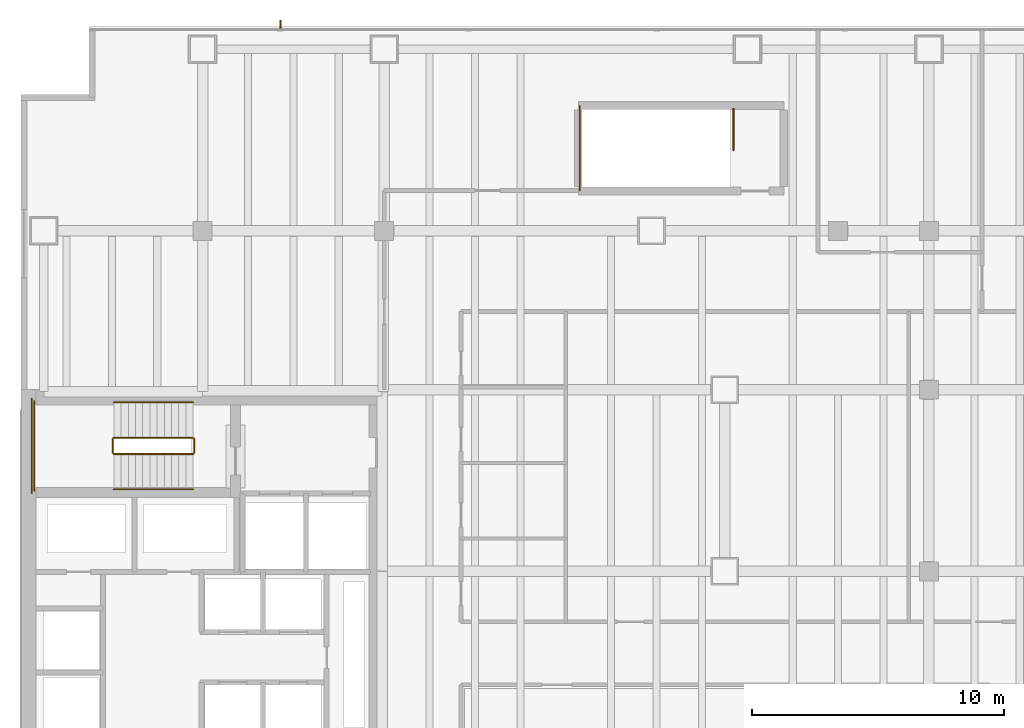
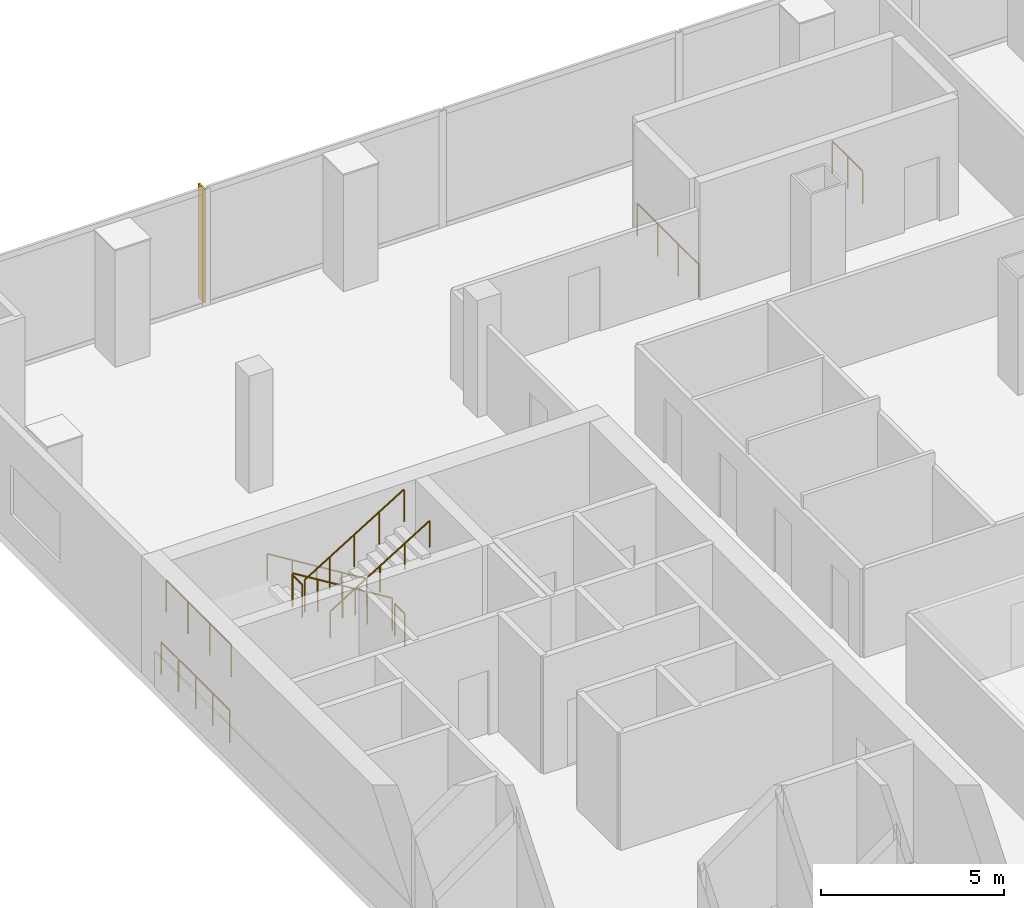
# One storey, part 30 of 32: 10 railings, 1 shading device.
"""IFC4 building model written with IfcOpenShell, lengths in metres."""

from ifc_helpers import new_model, si_unit, direction, frame, origin, origin_2d, place, context, subcontext, project, spatial, polyline, circle, outline, extrude, material, layer, layer_set, type_object, element, save


model = new_model("IFC4")

# Units and contexts
model_context = context("Model", 3, precision=1e-05, world=origin(), true_north=direction((0.0, 1.0)))
body_context = subcontext(model_context, "Body", "Model", "MODEL_VIEW")
ifc_project = project(units=[si_unit("LENGTHUNIT", "METRE"), si_unit("AREAUNIT", "SQUARE_METRE"), si_unit("VOLUMEUNIT", "CUBIC_METRE"), si_unit("PLANEANGLEUNIT", "RADIAN"), si_unit("MASSUNIT", "GRAM", prefix="KILO")], contexts=[model_context])

# Site, building, storey
site_placement = place(None, origin())
site = spatial("IfcSite", under=ifc_project, at=site_placement, CompositionType="ELEMENT")
building_placement = place(site_placement, origin())
building = spatial("IfcBuilding", under=site, at=building_placement, Name="Cobrela Telecom Tower", CompositionType="ELEMENT")
storey_placement = place(building_placement, frame((0.0, 0.0, 22.050048828125)))
storey = spatial("IfcBuildingStorey", under=building, at=storey_placement, Name="L05", CompositionType="ELEMENT", Elevation=22.050048828125)

# Railings
ifc_material_1 = material(Name="Steel ASTM A36", Category="steel")
railing_type_1 = type_object("IfcRailingType", Name="RAIL-GUARD-1100", PredefinedType="GUARDRAIL", material=ifc_material_1)
railing_1_placement = place(storey_placement, frame((6.820068359375, 34.10009765625, 0.175048828125)))
element("IfcRailing", 1, at=railing_1_placement, inside=storey, type_object=railing_type_1, Name="L05 ST1 stair guard 1", PredefinedType="GUARDRAIL", context=body_context, shape_type="SweptSolid", body=[
    extrude(circle(Radius=0.02392578125, at=origin_2d()), frame((0.0, 0.0, 1.076171875), z_axis=(-0.852195625947, 0.0, 0.523223293744), x_axis=(0.0, -1.0, 0.0)), (0.0, 0.0, 1.0), 3.6787109375),
    extrude(circle(Radius=0.02099609375, at=origin_2d()), origin(), (0.0, 0.0, 1.0), 1.052001953125),
    extrude(circle(Radius=0.02099609375, at=origin_2d()), frame((-0.78369140625, 0.0, 0.481201171875)), (0.0, 0.0, 1.0), 1.052001953125),
    extrude(circle(Radius=0.02099609375, at=origin_2d()), frame((-1.5673828125, 0.0, 0.96240234375)), (0.0, 0.0, 1.0), 1.052001953125),
    extrude(circle(Radius=0.02099609375, at=origin_2d()), frame((-2.351318359375, 0.0, 1.443603515625)), (0.0, 0.0, 1.0), 1.052001953125),
    extrude(circle(Radius=0.02099609375, at=origin_2d()), frame((-3.135009765625, 0.0, 1.9248046875)), (0.0, 0.0, 1.0), 1.052001953125),
])
railing_2_placement = place(storey_placement, frame((3.635009765625, 34.050048828125, 2.099853515625)))
element("IfcRailing", 2, at=railing_2_placement, inside=storey, type_object=railing_type_1, Name="L05 ST1 stair guard 2", PredefinedType="GUARDRAIL", context=body_context, shape_type="SweptSolid", body=[
    extrude(circle(Radius=0.02392578125, at=origin_2d()), frame((0.0, 0.0, 1.076171875), z_axis=(0.0, -1.0, 0.0), x_axis=(1.0, 0.0, 0.0)), (0.0, 0.0, 1.0), 0.550048828125),
    extrude(circle(Radius=0.02099609375, at=origin_2d()), origin(), (0.0, 0.0, 1.0), 1.052001953125),
    extrude(circle(Radius=0.02099609375, at=origin_2d()), frame((0.0, -0.550048828125, 0.0)), (0.0, 0.0, 1.0), 1.052001953125),
])
railing_3_placement = place(storey_placement, frame((0.530029296875, 35.550048828125, 2.099853515625)))
element("IfcRailing", 3, at=railing_3_placement, inside=storey, type_object=railing_type_1, Name="L05 ST1 stair guard 3", PredefinedType="GUARDRAIL", context=body_context, shape_type="SweptSolid", body=[
    extrude(circle(Radius=0.02392578125, at=origin_2d()), frame((0.0, 0.0, 1.076171875), z_axis=(0.0, -1.0, 0.0), x_axis=(1.0, 0.0, 0.0)), (0.0, 0.0, 1.0), 3.550048828125),
    extrude(circle(Radius=0.02099609375, at=origin_2d()), origin(), (0.0, 0.0, 1.0), 1.052001953125),
    extrude(circle(Radius=0.02099609375, at=origin_2d()), frame((0.0, -1.183349609375, 0.0)), (0.0, 0.0, 1.0), 1.052001953125),
    extrude(circle(Radius=0.02099609375, at=origin_2d()), frame((0.0, -2.36669921875, 0.0)), (0.0, 0.0, 1.0), 1.052001953125),
    extrude(circle(Radius=0.02099609375, at=origin_2d()), frame((0.0, -3.550048828125, 0.0)), (0.0, 0.0, 1.0), 1.052001953125),
])
railing_4_placement = place(storey_placement, frame((3.68505859375, 33.449951171875, 2.27490234375)))
element("IfcRailing", 4, at=railing_4_placement, inside=storey, type_object=railing_type_1, Name="L05 ST1 stair guard 4", PredefinedType="GUARDRAIL", context=body_context, shape_type="SweptSolid", body=[
    extrude(circle(Radius=0.02392578125, at=origin_2d()), frame((0.0, 0.0, 1.076171875), z_axis=(0.852166034122, 0.0, 0.523271488128), x_axis=(0.0, 1.0, 0.0)), (0.0, 0.0, 1.0), 3.678955078125),
    extrude(circle(Radius=0.02099609375, at=origin_2d()), origin(), (0.0, 0.0, 1.0), 1.052001953125),
    extrude(circle(Radius=0.02099609375, at=origin_2d()), frame((0.78369140625, 0.0, 0.481201171875)), (0.0, 0.0, 1.0), 1.052001953125),
    extrude(circle(Radius=0.02099609375, at=origin_2d()), frame((1.5673828125, 0.0, 0.96240234375)), (0.0, 0.0, 1.0), 1.052001953125),
    extrude(circle(Radius=0.02099609375, at=origin_2d()), frame((2.351318359375, 0.0, 1.44384765625)), (0.0, 0.0, 1.0), 1.052001953125),
    extrude(circle(Radius=0.02099609375, at=origin_2d()), frame((3.135009765625, 0.0, 1.925048828125)), (0.0, 0.0, 1.0), 1.052001953125),
])
railing_5_placement = place(storey_placement, frame((6.8701171875, 34.050048828125, 0.0)))
element("IfcRailing", 5, at=railing_5_placement, inside=storey, type_object=railing_type_1, Name="L05 ST1 stair guard 5", PredefinedType="GUARDRAIL", context=body_context, shape_type="SweptSolid", body=[
    extrude(circle(Radius=0.02392578125, at=origin_2d()), frame((0.0, 0.0, 1.076171875), z_axis=(0.0, -1.0, 0.0), x_axis=(1.0, 0.0, 0.0)), (0.0, 0.0, 1.0), 0.550048828125),
    extrude(circle(Radius=0.02099609375, at=origin_2d()), origin(), (0.0, 0.0, 1.0), 1.052001953125),
    extrude(circle(Radius=0.02099609375, at=origin_2d()), frame((0.0, -0.550048828125, 0.0)), (0.0, 0.0, 1.0), 1.052001953125),
])
railing_6_placement = place(storey_placement, frame((0.429931640625, 35.64990234375, 0.0)))
element("IfcRailing", 6, at=railing_6_placement, inside=storey, type_object=railing_type_1, Name="L05 ST1 stair guard 6", PredefinedType="GUARDRAIL", context=body_context, shape_type="SweptSolid", body=[
    extrude(circle(Radius=0.02392578125, at=origin_2d()), frame((0.0, 0.0, 1.076171875), z_axis=(0.0, -1.0, 0.0), x_axis=(1.0, 0.0, 0.0)), (0.0, 0.0, 1.0), 3.75),
    extrude(circle(Radius=0.02099609375, at=origin_2d()), origin(), (0.0, 0.0, 1.0), 1.052001953125),
    extrude(circle(Radius=0.02099609375, at=origin_2d()), frame((0.0, -0.9375, 0.0)), (0.0, 0.0, 1.0), 1.052001953125),
    extrude(circle(Radius=0.02099609375, at=origin_2d()), frame((0.0, -1.875, 0.0)), (0.0, 0.0, 1.0), 1.052001953125),
    extrude(circle(Radius=0.02099609375, at=origin_2d()), frame((0.0, -2.8125, 0.0)), (0.0, 0.0, 1.0), 1.052001953125),
    extrude(circle(Radius=0.02099609375, at=origin_2d()), frame((0.0, -3.75, 0.0)), (0.0, 0.0, 1.0), 1.052001953125),
])
railing_7_placement = place(storey_placement, frame((28.25, 47.14990234375, 0.0)))
element("IfcRailing", 7, at=railing_7_placement, inside=storey, type_object=railing_type_1, Name="L05 ST3 top well guard 1", PredefinedType="GUARDRAIL", context=body_context, shape_type="SweptSolid", body=[
    extrude(circle(Radius=0.02392578125, at=origin_2d()), frame((0.0, 0.0, 1.076171875), z_axis=(0.0, -1.0, 0.0), x_axis=(1.0, 0.0, 0.0)), (0.0, 0.0, 1.0), 1.64990234375),
    extrude(circle(Radius=0.02099609375, at=origin_2d()), origin(), (0.0, 0.0, 1.0), 1.052001953125),
    extrude(circle(Radius=0.02099609375, at=origin_2d()), frame((0.0, -0.824951171875, 0.0)), (0.0, 0.0, 1.0), 1.052001953125),
    extrude(circle(Radius=0.02099609375, at=origin_2d()), frame((0.0, -1.64990234375, 0.0)), (0.0, 0.0, 1.0), 1.052001953125),
])
railing_8_placement = place(storey_placement, frame((22.14990234375, 47.25, 0.0)))
element("IfcRailing", 8, at=railing_8_placement, inside=storey, type_object=railing_type_1, Name="L05 ST3 top well guard 2", PredefinedType="GUARDRAIL", context=body_context, shape_type="SweptSolid", body=[
    extrude(circle(Radius=0.02392578125, at=origin_2d()), frame((0.0, 0.0, 1.076171875), z_axis=(0.0, -1.0, 0.0), x_axis=(1.0, 0.0, 0.0)), (0.0, 0.0, 1.0), 3.35009765625),
    extrude(circle(Radius=0.02099609375, at=origin_2d()), origin(), (0.0, 0.0, 1.0), 1.052001953125),
    extrude(circle(Radius=0.02099609375, at=origin_2d()), frame((0.0, -1.11669921875, 0.0)), (0.0, 0.0, 1.0), 1.052001953125),
    extrude(circle(Radius=0.02099609375, at=origin_2d()), frame((0.0, -2.2333984375, 0.0)), (0.0, 0.0, 1.0), 1.052001953125),
    extrude(circle(Radius=0.02099609375, at=origin_2d()), frame((0.0, -3.35009765625, 0.0)), (0.0, 0.0, 1.0), 1.052001953125),
])
railing_type_2 = type_object("IfcRailingType", Name="RAIL-HAND-920", PredefinedType="HANDRAIL", material=ifc_material_1)
railing_9_placement = place(storey_placement, frame((6.820068359375, 35.5, 0.175048828125)))
element("IfcRailing", 9, at=railing_9_placement, inside=storey, type_object=railing_type_2, Name="L05 ST1 stair handrail 1", PredefinedType="HANDRAIL", context=body_context, shape_type="SweptSolid", body=[
    extrude(circle(Radius=0.02392578125, at=origin_2d()), frame((0.0, 0.0, 0.8759765625), z_axis=(-0.852195625947, 0.0, 0.523223293744), x_axis=(0.0, -1.0, 0.0)), (0.0, 0.0, 1.0), 3.6787109375),
    extrude(circle(Radius=0.02099609375, at=origin_2d()), origin(), (0.0, 0.0, 1.0), 0.851806640625),
    extrude(circle(Radius=0.02099609375, at=origin_2d()), frame((-0.78369140625, 0.0, 0.481201171875)), (0.0, 0.0, 1.0), 0.851806640625),
    extrude(circle(Radius=0.02099609375, at=origin_2d()), frame((-1.5673828125, 0.0, 0.96240234375)), (0.0, 0.0, 1.0), 0.851806640625),
    extrude(circle(Radius=0.02099609375, at=origin_2d()), frame((-2.351318359375, 0.0, 1.443603515625)), (0.0, 0.0, 1.0), 0.851806640625),
    extrude(circle(Radius=0.02099609375, at=origin_2d()), frame((-3.135009765625, 0.0, 1.9248046875)), (0.0, 0.0, 1.0), 0.851806640625),
])
railing_10_placement = place(storey_placement, frame((3.68505859375, 32.050048828125, 2.27490234375)))
element("IfcRailing", 10, at=railing_10_placement, inside=storey, type_object=railing_type_2, Name="L05 ST1 stair handrail 2", PredefinedType="HANDRAIL", context=body_context, shape_type="SweptSolid", body=[
    extrude(circle(Radius=0.02392578125, at=origin_2d()), frame((0.0, 0.0, 0.8759765625), z_axis=(0.852166034122, 0.0, 0.523271488128), x_axis=(0.0, 1.0, 0.0)), (0.0, 0.0, 1.0), 3.678955078125),
    extrude(circle(Radius=0.02099609375, at=origin_2d()), origin(), (0.0, 0.0, 1.0), 0.851806640625),
    extrude(circle(Radius=0.02099609375, at=origin_2d()), frame((0.78369140625, 0.0, 0.481201171875)), (0.0, 0.0, 1.0), 0.851806640625),
    extrude(circle(Radius=0.02099609375, at=origin_2d()), frame((1.5673828125, 0.0, 0.96240234375)), (0.0, 0.0, 1.0), 0.851806640625),
    extrude(circle(Radius=0.02099609375, at=origin_2d()), frame((2.351318359375, 0.0, 1.44384765625)), (0.0, 0.0, 1.0), 0.851806640625),
    extrude(circle(Radius=0.02099609375, at=origin_2d()), frame((3.135009765625, 0.0, 1.925048828125)), (0.0, 0.0, 1.0), 0.851806640625),
])

# Shading device
ifc_material_2 = material(Name="Anodized Bronze Aluminium 6063-T6", Category="aluminium")
ifc_layer = layer(ifc_material_2, 0.06005859375)
ifc_layer_set = layer_set([ifc_layer], Name="Anodized Bronze Aluminium 6063-T6")
shading_device_type = type_object("IfcShadingDeviceType", Name="SHD-FIN-BRZ", PredefinedType="USERDEFINED", material=ifc_layer_set)
shading_device_placement = place(storey_placement, frame((0.0, 0.0, 0.050048828125)))
element("IfcShadingDevice", 11, at=shading_device_placement, inside=storey, type_object=shading_device_type, Name="L05 Anodized Bronze Solar Fin 06", ObjectType="SUNSHADE", PredefinedType="USERDEFINED", context=body_context, shape_type="SweptSolid", body=[
    extrude(outline(polyline([(10.25, 50.320068359375), (10.31005859375, 50.320068359375), (10.31005859375, 50.659912109375), (10.25, 50.659912109375), (10.25, 50.320068359375)])), origin(), (0.0, 0.0, 1.0), 3.7998046875),
])

save(model, "model.ifc")
